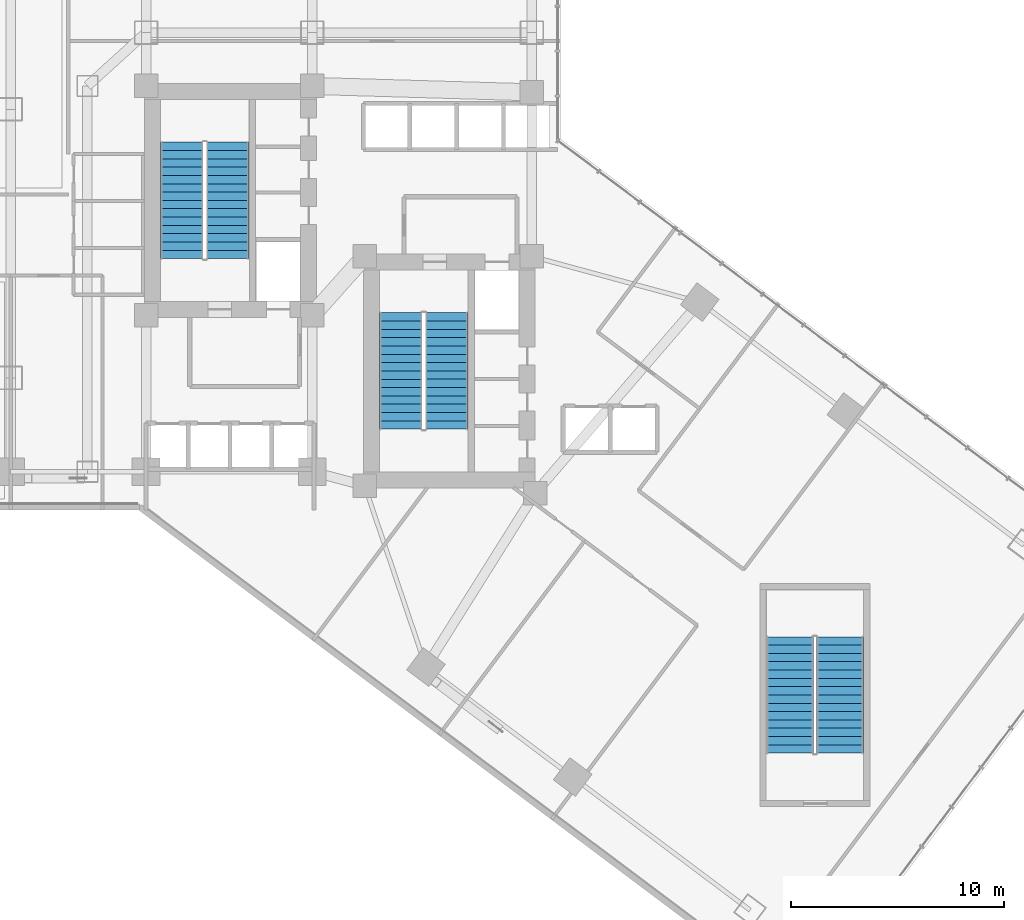
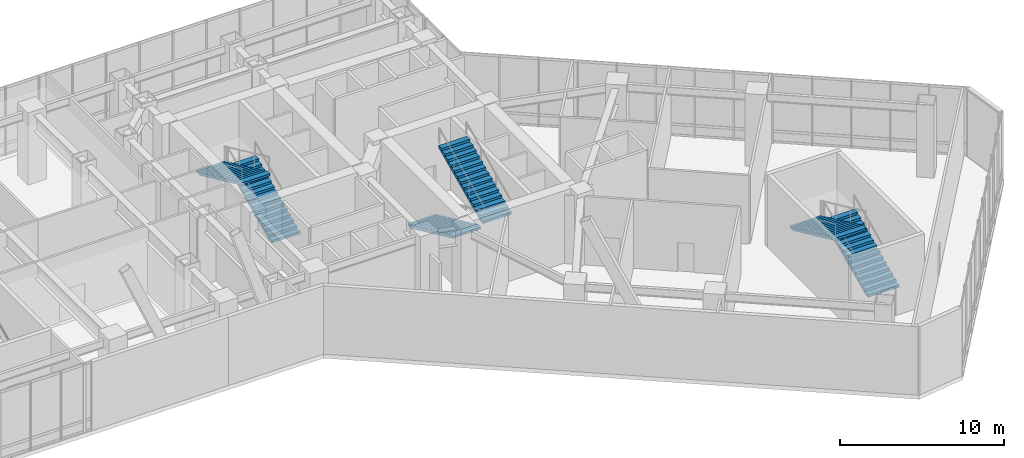
# One storey, part 30 of 35: 6 stair flights, 3 elements without a shape of their own.
"""IFC4 building model written with IfcOpenShell, lengths in metres."""

from ifc_helpers import new_model, si_unit, direction, frame, origin, place, context, subcontext, project, spatial, polyline, outline, extrude, material, type_object, element, aggregate, save


model = new_model("IFC4")

# Units and contexts
model_context = context("Model", 3, precision=1e-05, world=origin(), true_north=direction((0.0, 1.0)))
body_context = subcontext(model_context, "Body", "Model", "MODEL_VIEW")
ifc_project = project(units=[si_unit("LENGTHUNIT", "METRE"), si_unit("AREAUNIT", "SQUARE_METRE"), si_unit("VOLUMEUNIT", "CUBIC_METRE"), si_unit("PLANEANGLEUNIT", "RADIAN"), si_unit("MASSUNIT", "GRAM", prefix="KILO")], contexts=[model_context])

# Site, building, storey
site_placement = place(None, origin())
site = spatial("IfcSite", under=ifc_project, at=site_placement, CompositionType="ELEMENT")
building_placement = place(site_placement, origin())
building = spatial("IfcBuilding", under=site, at=building_placement, Name="Hatsunagi Terrace Concourse", CompositionType="ELEMENT")
storey_placement = place(building_placement, frame((0.0, 0.0, 10.800048828125)))
storey = spatial("IfcBuildingStorey", under=building, at=storey_placement, Name="L03", CompositionType="ELEMENT", Elevation=10.800048828125)

# Stair, stair flights
ifc_material_1 = material(Name="Concrete Fc42", Category="concrete")
stair_type_1 = type_object("IfcStairType", Name="DoglegExitStair_Podium2200_30R_180", PredefinedType="HALF_TURN_STAIR", material=ifc_material_1)
stair_1_placement = place(storey_placement, origin())
stair_1 = element("IfcStair", 1, at=stair_1_placement, inside=storey, type_object=stair_type_1, Name="L03 Southeast Podium Ballroom Exit Stair ST-P2", PredefinedType="HALF_TURN_STAIR")
ifc_material_2 = material(Name="Concrete Fc42", Category="concrete")
stair_flight_type_1 = type_object("IfcStairFlightType", Name="DoglegStairFlight_Podium2200_30R_180", PredefinedType="STRAIGHT", material=ifc_material_2)
stair_flight_1_placement = place(storey_placement, frame((58.10009765625, 12.0, 0.0), z_axis=(0.0, 0.0, 1.0), x_axis=(0.0, 1.0, 0.0)))
stair_flight_1 = element("IfcStairFlight", 2, at=stair_flight_1_placement, type_object=stair_flight_type_1, Name="ST-P2 flight 1", NumberOfRisers=15, NumberOfTreads=14, PredefinedType="STRAIGHT", RiserHeight=0.18, TreadLength=0.39, context=body_context, shape_type="SweptSolid", body=[
    extrude(outline(polyline([(0.0, 0.0), (0.0, 0.179931640625), (0.389892578125, 0.179931640625), (0.389892578125, 0.360107421875), (0.780029296875, 0.360107421875), (0.780029296875, 0.5400390625), (1.169921875, 0.5400390625), (1.169921875, 0.719970703125), (1.56005859375, 0.719970703125), (1.56005859375, 0.89990234375), (1.949951171875, 0.89990234375), (1.949951171875, 1.080078125), (2.340087890625, 1.080078125), (2.340087890625, 1.260009765625), (2.72998046875, 1.260009765625), (2.72998046875, 1.43994140625), (3.1201171875, 1.43994140625), (3.1201171875, 1.6201171875), (3.510009765625, 1.6201171875), (3.510009765625, 1.800048828125), (3.89990234375, 1.800048828125), (3.89990234375, 1.97998046875), (4.2900390625, 1.97998046875), (4.2900390625, 2.159912109375), (4.679931640625, 2.159912109375), (4.679931640625, 2.340087890625), (5.070068359375, 2.340087890625), (5.070068359375, 2.52001953125), (5.4599609375, 2.52001953125), (5.4599609375, 2.699951171875), (5.4599609375, 2.35498046875), (0.357666015625, 0.0), (0.0, 0.0)])), frame((0.0, 1.10009765625, 0.0), z_axis=(0.0, -1.0, 0.0), x_axis=(1.0, 0.0, 0.0)), (0.0, 0.0, 1.0), 2.199951171875),
])
stair_flight_2_placement = place(storey_placement, frame((55.75, 17.4599609375, 2.699951171875), z_axis=(0.0, 0.0, 1.0), x_axis=(0.0, -1.0, 0.0)))
stair_flight_2 = element("IfcStairFlight", 3, at=stair_flight_2_placement, type_object=stair_flight_type_1, Name="ST-P2 flight 2", NumberOfRisers=15, NumberOfTreads=14, PredefinedType="STRAIGHT", RiserHeight=0.18, TreadLength=0.39, context=body_context, shape_type="SweptSolid", body=[
    extrude(outline(polyline([(0.0, 0.0), (0.0, 0.179931640625), (0.389892578125, 0.179931640625), (0.389892578125, 0.360107421875), (0.780029296875, 0.360107421875), (0.780029296875, 0.5400390625), (1.169921875, 0.5400390625), (1.169921875, 0.719970703125), (1.56005859375, 0.719970703125), (1.56005859375, 0.89990234375), (1.949951171875, 0.89990234375), (1.949951171875, 1.080078125), (2.340087890625, 1.080078125), (2.340087890625, 1.260009765625), (2.72998046875, 1.260009765625), (2.72998046875, 1.43994140625), (3.1201171875, 1.43994140625), (3.1201171875, 1.6201171875), (3.510009765625, 1.6201171875), (3.510009765625, 1.800048828125), (3.89990234375, 1.800048828125), (3.89990234375, 1.97998046875), (4.2900390625, 1.97998046875), (4.2900390625, 2.159912109375), (4.679931640625, 2.159912109375), (4.679931640625, 2.340087890625), (5.070068359375, 2.340087890625), (5.070068359375, 2.52001953125), (5.4599609375, 2.52001953125), (5.4599609375, 2.699951171875), (5.4599609375, 2.35498046875), (0.357666015625, 0.0), (0.0, 0.0)])), frame((0.0, 1.10009765625, 0.0), z_axis=(0.0, -1.0, 0.0), x_axis=(1.0, 0.0, 0.0)), (0.0, 0.0, 1.0), 2.199951171875),
])
aggregate(stair_1, [stair_flight_1, stair_flight_2])

ifc_material_3 = material(Name="Concrete Fc42", Category="concrete")
stair_type_2 = type_object("IfcStairType", Name="DoglegExitStair_Tower2000_30R_180", PredefinedType="HALF_TURN_STAIR", material=ifc_material_3)
stair_2_placement = place(storey_placement, origin())
stair_2 = element("IfcStair", 4, at=stair_2_placement, inside=storey, type_object=stair_type_2, Name="L03 Core A Protected Exit Stair ST-A", PredefinedType="HALF_TURN_STAIR")
ifc_material_4 = material(Name="Concrete Fc42", Category="concrete")
stair_flight_type_2 = type_object("IfcStairFlightType", Name="DoglegStairFlight_Tower2000_30R_180", PredefinedType="STRAIGHT", material=ifc_material_4)
stair_flight_3_placement = place(storey_placement, frame((29.3798828125, 35.199951171875, 0.0), z_axis=(0.0, 0.0, 1.0), x_axis=(0.0, 1.0, 0.0)))
stair_flight_3 = element("IfcStairFlight", 5, at=stair_flight_3_placement, type_object=stair_flight_type_2, Name="ST-A flight 1", NumberOfRisers=15, NumberOfTreads=14, PredefinedType="STRAIGHT", RiserHeight=0.18, TreadLength=0.39, context=body_context, shape_type="SweptSolid", body=[
    extrude(outline(polyline([(0.0, 0.0), (0.0, 0.179931640625), (0.389892578125, 0.179931640625), (0.389892578125, 0.360107421875), (0.780029296875, 0.360107421875), (0.780029296875, 0.5400390625), (1.169921875, 0.5400390625), (1.169921875, 0.719970703125), (1.56005859375, 0.719970703125), (1.56005859375, 0.89990234375), (1.949951171875, 0.89990234375), (1.949951171875, 1.080078125), (2.340087890625, 1.080078125), (2.340087890625, 1.260009765625), (2.72998046875, 1.260009765625), (2.72998046875, 1.43994140625), (3.1201171875, 1.43994140625), (3.1201171875, 1.6201171875), (3.510009765625, 1.6201171875), (3.510009765625, 1.800048828125), (3.89990234375, 1.800048828125), (3.89990234375, 1.97998046875), (4.2900390625, 1.97998046875), (4.2900390625, 2.159912109375), (4.679931640625, 2.159912109375), (4.679931640625, 2.340087890625), (5.070068359375, 2.340087890625), (5.070068359375, 2.52001953125), (5.4599609375, 2.52001953125), (5.4599609375, 2.699951171875), (5.4599609375, 2.35498046875), (0.357666015625, 0.0), (0.0, 0.0)])), frame((0.0, 1.0, 0.0), z_axis=(0.0, -1.0, 0.0), x_axis=(1.0, 0.0, 0.0)), (0.0, 0.0, 1.0), 2.0),
])
stair_flight_4_placement = place(storey_placement, frame((27.22998046875, 40.659912109375, 2.699951171875), z_axis=(0.0, 0.0, 1.0), x_axis=(0.0, -1.0, 0.0)))
stair_flight_4 = element("IfcStairFlight", 6, at=stair_flight_4_placement, type_object=stair_flight_type_2, Name="ST-A flight 2", NumberOfRisers=15, NumberOfTreads=14, PredefinedType="STRAIGHT", RiserHeight=0.18, TreadLength=0.39, context=body_context, shape_type="SweptSolid", body=[
    extrude(outline(polyline([(0.0, 0.0), (0.0, 0.179931640625), (0.389892578125, 0.179931640625), (0.389892578125, 0.360107421875), (0.780029296875, 0.360107421875), (0.780029296875, 0.5400390625), (1.169921875, 0.5400390625), (1.169921875, 0.719970703125), (1.56005859375, 0.719970703125), (1.56005859375, 0.89990234375), (1.949951171875, 0.89990234375), (1.949951171875, 1.080078125), (2.340087890625, 1.080078125), (2.340087890625, 1.260009765625), (2.72998046875, 1.260009765625), (2.72998046875, 1.43994140625), (3.1201171875, 1.43994140625), (3.1201171875, 1.6201171875), (3.510009765625, 1.6201171875), (3.510009765625, 1.800048828125), (3.89990234375, 1.800048828125), (3.89990234375, 1.97998046875), (4.2900390625, 1.97998046875), (4.2900390625, 2.159912109375), (4.679931640625, 2.159912109375), (4.679931640625, 2.340087890625), (5.070068359375, 2.340087890625), (5.070068359375, 2.52001953125), (5.4599609375, 2.52001953125), (5.4599609375, 2.699951171875), (5.4599609375, 2.35498046875), (0.357666015625, 0.0), (0.0, 0.0)])), frame((0.0, 1.0, 0.0), z_axis=(0.0, -1.0, 0.0), x_axis=(1.0, 0.0, 0.0)), (0.0, 0.0, 1.0), 2.0),
])
aggregate(stair_2, [stair_flight_3, stair_flight_4])

stair_3_placement = place(storey_placement, origin())
stair_3 = element("IfcStair", 7, at=stair_3_placement, inside=storey, type_object=stair_type_2, Name="L03 Core B Protected Exit Stair ST-B", PredefinedType="HALF_TURN_STAIR")
stair_flight_5_placement = place(storey_placement, frame((37.5, 32.659912109375, 0.0), z_axis=(0.0, 0.0, 1.0), x_axis=(0.0, -1.0, 0.0)))
stair_flight_5 = element("IfcStairFlight", 8, at=stair_flight_5_placement, type_object=stair_flight_type_2, Name="ST-B flight 1", NumberOfRisers=15, NumberOfTreads=14, PredefinedType="STRAIGHT", RiserHeight=0.18, TreadLength=0.39, context=body_context, shape_type="SweptSolid", body=[
    extrude(outline(polyline([(0.0, 0.0), (0.0, 0.179931640625), (0.389892578125, 0.179931640625), (0.389892578125, 0.360107421875), (0.780029296875, 0.360107421875), (0.780029296875, 0.5400390625), (1.169921875, 0.5400390625), (1.169921875, 0.719970703125), (1.56005859375, 0.719970703125), (1.56005859375, 0.89990234375), (1.949951171875, 0.89990234375), (1.949951171875, 1.080078125), (2.340087890625, 1.080078125), (2.340087890625, 1.260009765625), (2.72998046875, 1.260009765625), (2.72998046875, 1.43994140625), (3.1201171875, 1.43994140625), (3.1201171875, 1.6201171875), (3.510009765625, 1.6201171875), (3.510009765625, 1.800048828125), (3.89990234375, 1.800048828125), (3.89990234375, 1.97998046875), (4.2900390625, 1.97998046875), (4.2900390625, 2.159912109375), (4.679931640625, 2.159912109375), (4.679931640625, 2.340087890625), (5.070068359375, 2.340087890625), (5.070068359375, 2.52001953125), (5.4599609375, 2.52001953125), (5.4599609375, 2.699951171875), (5.4599609375, 2.35498046875), (0.357666015625, 0.0), (0.0, 0.0)])), frame((0.0, 1.0, 0.0), z_axis=(0.0, -1.0, 0.0), x_axis=(1.0, 0.0, 0.0)), (0.0, 0.0, 1.0), 2.0),
])
stair_flight_6_placement = place(storey_placement, frame((39.64990234375, 27.199951171875, 2.699951171875), z_axis=(0.0, 0.0, 1.0), x_axis=(0.0, 1.0, 0.0)))
stair_flight_6 = element("IfcStairFlight", 9, at=stair_flight_6_placement, type_object=stair_flight_type_2, Name="ST-B flight 2", NumberOfRisers=15, NumberOfTreads=14, PredefinedType="STRAIGHT", RiserHeight=0.18, TreadLength=0.39, context=body_context, shape_type="SweptSolid", body=[
    extrude(outline(polyline([(0.0, 0.0), (0.0, 0.179931640625), (0.389892578125, 0.179931640625), (0.389892578125, 0.360107421875), (0.780029296875, 0.360107421875), (0.780029296875, 0.5400390625), (1.169921875, 0.5400390625), (1.169921875, 0.719970703125), (1.56005859375, 0.719970703125), (1.56005859375, 0.89990234375), (1.949951171875, 0.89990234375), (1.949951171875, 1.080078125), (2.340087890625, 1.080078125), (2.340087890625, 1.260009765625), (2.72998046875, 1.260009765625), (2.72998046875, 1.43994140625), (3.1201171875, 1.43994140625), (3.1201171875, 1.6201171875), (3.510009765625, 1.6201171875), (3.510009765625, 1.800048828125), (3.89990234375, 1.800048828125), (3.89990234375, 1.97998046875), (4.2900390625, 1.97998046875), (4.2900390625, 2.159912109375), (4.679931640625, 2.159912109375), (4.679931640625, 2.340087890625), (5.070068359375, 2.340087890625), (5.070068359375, 2.52001953125), (5.4599609375, 2.52001953125), (5.4599609375, 2.699951171875), (5.4599609375, 2.35498046875), (0.357666015625, 0.0), (0.0, 0.0)])), frame((0.0, 1.0, 0.0), z_axis=(0.0, -1.0, 0.0), x_axis=(1.0, 0.0, 0.0)), (0.0, 0.0, 1.0), 2.0),
])
aggregate(stair_3, [stair_flight_5, stair_flight_6])

save(model, "model.ifc")
